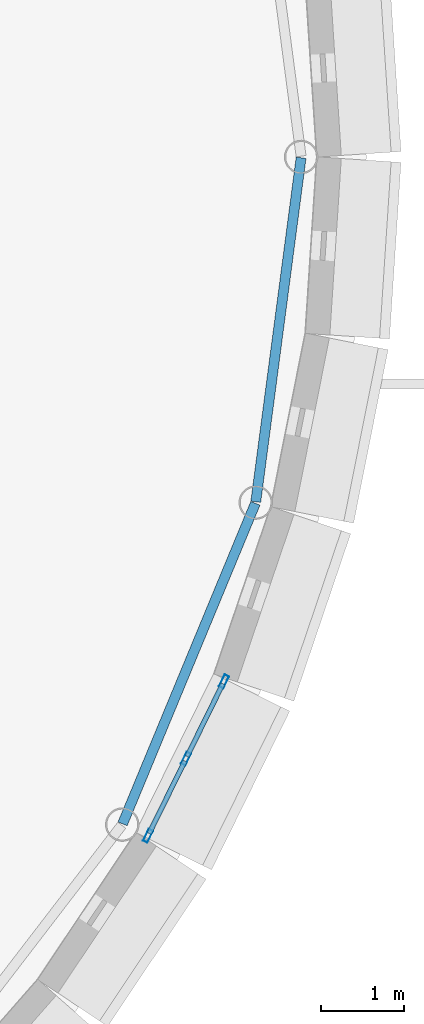
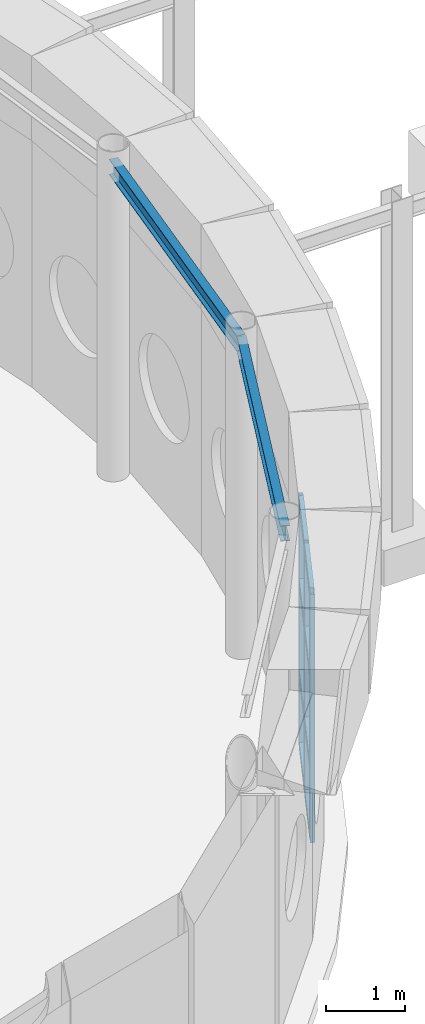
# One storey, part 39 of 109: 11 members, 2 beams, 1 element without a shape of its own.
"""IFC4 building model written with IfcOpenShell, lengths in metres."""

from ifc_helpers import new_model, si_unit, direction, frame, origin, origin_2d, place, context, subcontext, project, spatial, hollow_rectangle, i_section, extrude, material, layer, layer_set, material_profile, profile_set, type_object, element, aggregate, save


model = new_model("IFC4")

# Units and contexts
model_context = context("Model", 3, precision=1e-05, world=origin(), true_north=direction((0.0, 1.0)))
body_context = subcontext(model_context, "Body", "Model", "MODEL_VIEW")
ifc_project = project(units=[si_unit("LENGTHUNIT", "METRE"), si_unit("AREAUNIT", "SQUARE_METRE"), si_unit("VOLUMEUNIT", "CUBIC_METRE"), si_unit("PLANEANGLEUNIT", "RADIAN"), si_unit("MASSUNIT", "GRAM", prefix="KILO")], contexts=[model_context])

# Site, building, storey
site_placement = place(None, origin())
site = spatial("IfcSite", under=ifc_project, at=site_placement, CompositionType="ELEMENT")
building_placement = place(site_placement, origin())
building = spatial("IfcBuilding", under=site, at=building_placement, Name="Montecoro Central Library", CompositionType="ELEMENT")
storey_placement = place(building_placement, origin())
storey = spatial("IfcBuildingStorey", under=building, at=storey_placement, Name="L00", CompositionType="ELEMENT", Elevation=0.0)

# Beams
ifc_material_1 = material(Name="Steel S355", Category="steel")
ifc_material_profile_1 = material_profile(ifc_material_1, i_section(OverallWidth=0.1201171875, OverallDepth=0.239990234375, WebThickness=0.006103515625, FlangeThickness=0.009765625, at=origin_2d()), Name="IPE 240")
ifc_profile_set_1 = profile_set([ifc_material_profile_1], Name="Steel S355")
beam_type = type_object("IfcBeamType", Name="BM-SP-IPE240", PredefinedType="SPANDREL", material=ifc_profile_set_1)
beam_1_placement = place(storey_placement, frame((105.615966796875, 27.319091796875, 4.72509765625), z_axis=(0.382767235377, 0.923844815714, 0.0), x_axis=(-0.923844815714, 0.382767235377, 0.0)))
element("IfcBeam", 1, at=beam_1_placement, inside=storey, type_object=beam_type, Name="V1-L00-RING-23", PredefinedType="SPANDREL", context=body_context, shape_type="SweptSolid", body=[
    extrude(i_section(OverallWidth=0.1201171875, OverallDepth=0.239990234375, WebThickness=0.006103515625, FlangeThickness=0.009765625, at=origin_2d()), origin(), (0.0, 0.0, 1.0), 4.203857421875),
])
beam_2_placement = place(storey_placement, frame((107.22998046875, 31.221923828125, 4.72509765625), z_axis=(0.130607740177, 0.99143412197, 0.0), x_axis=(-0.99143412197, 0.130607740177, 0.0)))
element("IfcBeam", 2, at=beam_2_placement, inside=storey, type_object=beam_type, Name="V1-L00-RING-24", PredefinedType="SPANDREL", context=body_context, shape_type="SweptSolid", body=[
    extrude(i_section(OverallWidth=0.1201171875, OverallDepth=0.239990234375, WebThickness=0.006103515625, FlangeThickness=0.009765625, at=origin_2d()), origin(), (0.0, 0.0, 1.0), 4.2041015625),
])

# Curtain wall, members
ifc_material_2 = material(Name="Bronze-anodised aluminium and low-E glazing", Category="aluminium")
ifc_layer = layer(ifc_material_2, 0.159912109375)
ifc_layer_set = layer_set([ifc_layer], Name="Bronze-anodised aluminium and low-E glazing")
curtain_wall_type = type_object("IfcCurtainWallType", Name="CWT-001", PredefinedType="NOTDEFINED", material=ifc_layer_set)
curtain_wall_placement = place(storey_placement, origin())
curtain_wall = element("IfcCurtainWall", 3, at=curtain_wall_placement, inside=storey, type_object=curtain_wall_type, Name="V1-L00-CW-45", PredefinedType="NOTDEFINED")
ifc_material_3 = material(Name="Bronze-anodised aluminium", Category="aluminium")
ifc_material_profile_2 = material_profile(ifc_material_3, hollow_rectangle(XDim=0.06005859375, YDim=0.159912109375, WallThickness=0.00390625, at=origin_2d()), Name="CWM 160x60x4.0")
ifc_profile_set_2 = profile_set([ifc_material_profile_2], Name="Bronze-anodised aluminium")
member_type_1 = type_object("IfcMemberType", Name="CWM-BRZ-60", PredefinedType="MULLION", material=ifc_profile_set_2)
member_1_placement = place(storey_placement, frame((105.92431640625, 27.173828125, 0.0), z_axis=(0.0, 0.0, 1.0), x_axis=(-0.897207630575, 0.441608953303, 0.0)))
member_1 = element("IfcMember", 4, at=member_1_placement, type_object=member_type_1, Name="CW-001 mullion 1", PredefinedType="MULLION", context=body_context, shape_type="SweptSolid", body=[
    extrude(hollow_rectangle(XDim=0.06005859375, YDim=0.159912109375, WallThickness=0.00390625, at=origin_2d()), origin(), (0.0, 0.0, 1.0), 3.820068359375),
])
member_2_placement = place(storey_placement, frame((106.384521484375, 28.10888671875, 0.0), z_axis=(0.0, 0.0, 1.0), x_axis=(-0.897207630575, 0.441608953303, 0.0)))
member_2 = element("IfcMember", 5, at=member_2_placement, type_object=member_type_1, Name="CW-001 mullion 2", PredefinedType="MULLION", context=body_context, shape_type="SweptSolid", body=[
    extrude(hollow_rectangle(XDim=0.06005859375, YDim=0.159912109375, WallThickness=0.00390625, at=origin_2d()), origin(), (0.0, 0.0, 1.0), 3.820068359375),
])
member_3_placement = place(storey_placement, frame((106.8447265625, 29.044189453125, 0.0), z_axis=(0.0, 0.0, 1.0), x_axis=(-0.897207630575, 0.441608953303, 0.0)))
member_3 = element("IfcMember", 6, at=member_3_placement, type_object=member_type_1, Name="CW-001 mullion 3", PredefinedType="MULLION", context=body_context, shape_type="SweptSolid", body=[
    extrude(hollow_rectangle(XDim=0.06005859375, YDim=0.159912109375, WallThickness=0.00390625, at=origin_2d()), origin(), (0.0, 0.0, 1.0), 3.820068359375),
])
ifc_material_profile_3 = material_profile(ifc_material_3, hollow_rectangle(XDim=0.06005859375, YDim=0.1201171875, WallThickness=0.00390625, at=origin_2d()), Name="CWT 120x60x4.0")
ifc_profile_set_3 = profile_set([ifc_material_profile_3], Name="Bronze-anodised aluminium")
member_type_2 = type_object("IfcMemberType", Name="CWT-BRZ-60", PredefinedType="USERDEFINED", material=ifc_profile_set_3)
member_4_placement = place(storey_placement, frame((105.9375, 27.200927734375, 0.030029296875), z_axis=(0.441736355664, 0.897144911419, 0.0), x_axis=(-0.897144911419, 0.441736355664, 0.0)))
member_4 = element("IfcMember", 7, at=member_4_placement, type_object=member_type_2, Name="CW-001 transom 1.1", ObjectType="TRANSOM", PredefinedType="USERDEFINED", context=body_context, shape_type="SweptSolid", body=[
    extrude(hollow_rectangle(XDim=0.06005859375, YDim=0.1201171875, WallThickness=0.00390625, at=origin_2d()), origin(), (0.0, 0.0, 1.0), 0.982177734375),
])
member_5_placement = place(storey_placement, frame((105.9375, 27.200927734375, 1.14990234375), z_axis=(0.441736355664, 0.897144911419, 0.0), x_axis=(-0.897144911419, 0.441736355664, 0.0)))
member_5 = element("IfcMember", 8, at=member_5_placement, type_object=member_type_2, Name="CW-001 transom 1.2", ObjectType="TRANSOM", PredefinedType="USERDEFINED", context=body_context, shape_type="SweptSolid", body=[
    extrude(hollow_rectangle(XDim=0.06005859375, YDim=0.1201171875, WallThickness=0.00390625, at=origin_2d()), origin(), (0.0, 0.0, 1.0), 0.982177734375),
])
member_6_placement = place(storey_placement, frame((105.9375, 27.200927734375, 2.550048828125), z_axis=(0.441736355664, 0.897144911419, 0.0), x_axis=(-0.897144911419, 0.441736355664, 0.0)))
member_6 = element("IfcMember", 9, at=member_6_placement, type_object=member_type_2, Name="CW-001 transom 1.3", ObjectType="TRANSOM", PredefinedType="USERDEFINED", context=body_context, shape_type="SweptSolid", body=[
    extrude(hollow_rectangle(XDim=0.06005859375, YDim=0.1201171875, WallThickness=0.00390625, at=origin_2d()), origin(), (0.0, 0.0, 1.0), 0.982177734375),
])
member_7_placement = place(storey_placement, frame((105.9375, 27.200927734375, 3.7900390625), z_axis=(0.441736355664, 0.897144911419, 0.0), x_axis=(-0.897144911419, 0.441736355664, 0.0)))
member_7 = element("IfcMember", 10, at=member_7_placement, type_object=member_type_2, Name="CW-001 transom 1.4", ObjectType="TRANSOM", PredefinedType="USERDEFINED", context=body_context, shape_type="SweptSolid", body=[
    extrude(hollow_rectangle(XDim=0.06005859375, YDim=0.1201171875, WallThickness=0.00390625, at=origin_2d()), origin(), (0.0, 0.0, 1.0), 0.982177734375),
])
member_8_placement = place(storey_placement, frame((106.397705078125, 28.135986328125, 0.030029296875), z_axis=(0.441736355664, 0.897144911419, 0.0), x_axis=(-0.897144911419, 0.441736355664, 0.0)))
member_8 = element("IfcMember", 11, at=member_8_placement, type_object=member_type_2, Name="CW-001 transom 2.1", ObjectType="TRANSOM", PredefinedType="USERDEFINED", context=body_context, shape_type="SweptSolid", body=[
    extrude(hollow_rectangle(XDim=0.06005859375, YDim=0.1201171875, WallThickness=0.00390625, at=origin_2d()), origin(), (0.0, 0.0, 1.0), 0.982177734375),
])
member_9_placement = place(storey_placement, frame((106.397705078125, 28.135986328125, 1.14990234375), z_axis=(0.441736355664, 0.897144911419, 0.0), x_axis=(-0.897144911419, 0.441736355664, 0.0)))
member_9 = element("IfcMember", 12, at=member_9_placement, type_object=member_type_2, Name="CW-001 transom 2.2", ObjectType="TRANSOM", PredefinedType="USERDEFINED", context=body_context, shape_type="SweptSolid", body=[
    extrude(hollow_rectangle(XDim=0.06005859375, YDim=0.1201171875, WallThickness=0.00390625, at=origin_2d()), origin(), (0.0, 0.0, 1.0), 0.982177734375),
])
member_10_placement = place(storey_placement, frame((106.397705078125, 28.135986328125, 2.550048828125), z_axis=(0.441736355664, 0.897144911419, 0.0), x_axis=(-0.897144911419, 0.441736355664, 0.0)))
member_10 = element("IfcMember", 13, at=member_10_placement, type_object=member_type_2, Name="CW-001 transom 2.3", ObjectType="TRANSOM", PredefinedType="USERDEFINED", context=body_context, shape_type="SweptSolid", body=[
    extrude(hollow_rectangle(XDim=0.06005859375, YDim=0.1201171875, WallThickness=0.00390625, at=origin_2d()), origin(), (0.0, 0.0, 1.0), 0.982177734375),
])
member_11_placement = place(storey_placement, frame((106.397705078125, 28.135986328125, 3.7900390625), z_axis=(0.441736355664, 0.897144911419, 0.0), x_axis=(-0.897144911419, 0.441736355664, 0.0)))
member_11 = element("IfcMember", 14, at=member_11_placement, type_object=member_type_2, Name="CW-001 transom 2.4", ObjectType="TRANSOM", PredefinedType="USERDEFINED", context=body_context, shape_type="SweptSolid", body=[
    extrude(hollow_rectangle(XDim=0.06005859375, YDim=0.1201171875, WallThickness=0.00390625, at=origin_2d()), origin(), (0.0, 0.0, 1.0), 0.982177734375),
])
aggregate(curtain_wall, [member_1, member_2, member_3, member_4, member_5, member_6, member_7, member_8, member_9, member_10, member_11])

save(model, "model.ifc")
